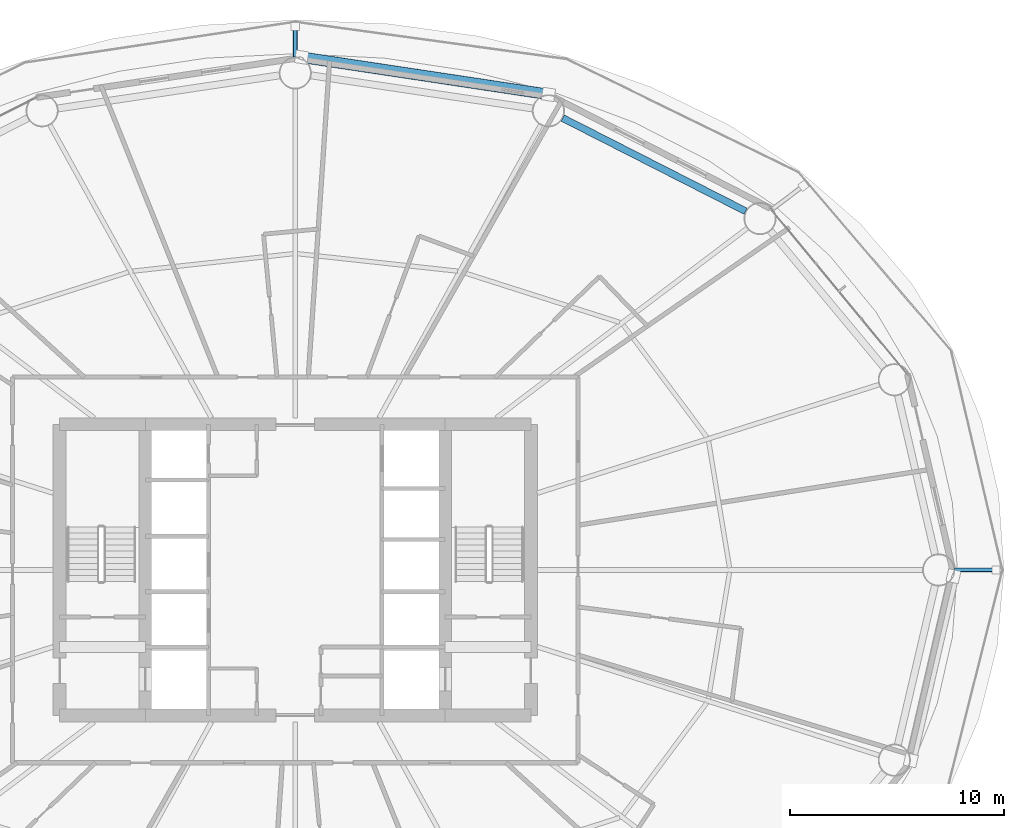
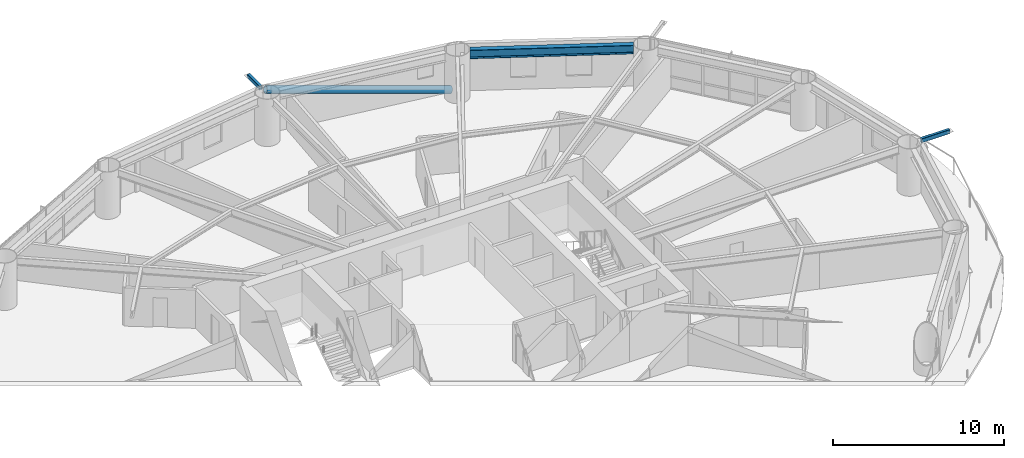
# One storey, part 15 of 28: 3 members, 1 beam.
"""IFC4 building model written with IfcOpenShell, lengths in metres."""

from ifc_helpers import new_model, si_unit, direction, frame, origin, origin_2d, place, context, subcontext, project, spatial, hollow_rectangle, hollow_circle, i_section, extrude, material, material_profile, profile_set, type_object, element, save


model = new_model("IFC4")

# Units and contexts
model_context = context("Model", 3, precision=1e-05, world=origin(), true_north=direction((0.0, 1.0)))
body_context = subcontext(model_context, "Body", "Model", "MODEL_VIEW")
ifc_project = project(units=[si_unit("LENGTHUNIT", "METRE"), si_unit("AREAUNIT", "SQUARE_METRE"), si_unit("VOLUMEUNIT", "CUBIC_METRE"), si_unit("PLANEANGLEUNIT", "RADIAN"), si_unit("MASSUNIT", "GRAM", prefix="KILO")], contexts=[model_context])

# Site, building, storey
site_placement = place(None, origin())
site = spatial("IfcSite", under=ifc_project, at=site_placement, CompositionType="ELEMENT")
building_placement = place(site_placement, origin())
building = spatial("IfcBuilding", under=site, at=building_placement, Name="Sarneth Arch Tower", CompositionType="ELEMENT")
storey_placement = place(building_placement, frame((0.0, 0.0, 67.800048828125)))
storey = spatial("IfcBuildingStorey", under=building, at=storey_placement, Name="L16", CompositionType="ELEMENT", Elevation=67.800048828125)

# Beam
ifc_material_1 = material(Name="Steel S355", Category="steel")
ifc_material_profile_1 = material_profile(ifc_material_1, i_section(OverallWidth=0.326904296875, OverallDepth=0.6220703125, WebThickness=0.015380859375, FlangeThickness=0.0244140625, FilletRadius=0.01904296875, at=origin_2d()), Name="W610x195")
ifc_profile_set_1 = profile_set([ifc_material_profile_1], Name="Steel S355")
beam_type = type_object("IfcBeamType", Name="BM-SPAN-610A", PredefinedType="SPANDREL", material=ifc_profile_set_1)
beam_placement = place(storey_placement, frame((69.0283203125, 58.7451171875, 3.06884765625), z_axis=(-0.891169106887, 0.453671271882, 0.0), x_axis=(-0.453671271882, -0.891169106887, 0.0)))
element("IfcBeam", 1, at=beam_placement, inside=storey, type_object=beam_type, Name="L16 Perimeter spandrel beam 03", PredefinedType="SPANDREL", context=body_context, shape_type="SweptSolid", body=[
    extrude(i_section(OverallWidth=0.326904296875, OverallDepth=0.6220703125, WebThickness=0.015380859375, FlangeThickness=0.0244140625, FilletRadius=0.01904296875, at=origin_2d()), origin(), (0.0, 0.0, 1.0), 9.58544921875),
])

# Members
ifc_material_2 = material(Name="Steel S355", Category="steel")
ifc_material_profile_2 = material_profile(ifc_material_2, hollow_rectangle(XDim=0.199951171875, YDim=0.300048828125, WallThickness=0.012451171875, InnerFilletRadius=0.018798828125, OuterFilletRadius=0.03125, at=origin_2d()), Name="RHS300x200x12.5")
ifc_profile_set_2 = profile_set([ifc_material_profile_2], Name="Steel S355")
member_type_1 = type_object("IfcMemberType", Name="MEM-CANT-STRUT", PredefinedType="STRUT", material=ifc_profile_set_2)
member_1_placement = place(storey_placement, frame((78.784912109375, 42.0, 3.219970703125), z_axis=(1.0, 0.0, 0.0), x_axis=(0.0, 1.0, 0.0)))
element("IfcMember", 2, at=member_1_placement, inside=storey, type_object=member_type_1, Name="L16 Balcony cantilever bracket 01", PredefinedType="STRUT", context=body_context, shape_type="SweptSolid", body=[
    extrude(hollow_rectangle(XDim=0.199951171875, YDim=0.300048828125, WallThickness=0.012451171875, InnerFilletRadius=0.018798828125, OuterFilletRadius=0.03125, at=origin_2d()), origin(), (0.0, 0.0, 1.0), 1.926025390625),
])
member_2_placement = place(storey_placement, frame((48.0, 65.949951171875, 3.219970703125), z_axis=(0.0, 1.0, 0.0), x_axis=(-1.0, 0.0, 0.0)))
element("IfcMember", 3, at=member_2_placement, inside=storey, type_object=member_type_1, Name="L16 Balcony cantilever bracket 05", PredefinedType="STRUT", context=body_context, shape_type="SweptSolid", body=[
    extrude(hollow_rectangle(XDim=0.199951171875, YDim=0.300048828125, WallThickness=0.012451171875, InnerFilletRadius=0.018798828125, OuterFilletRadius=0.03125, at=origin_2d()), origin(), (0.0, 0.0, 1.0), 1.423828125),
])
ifc_material_3 = material(Name="Steel S355", Category="steel")
ifc_material_profile_3 = material_profile(ifc_material_3, hollow_circle(Radius=0.25390625, WallThickness=0.01611328125, at=origin_2d()), Name="CHS508x16")
ifc_profile_set_3 = profile_set([ifc_material_profile_3], Name="Steel S355")
member_type_2 = type_object("IfcMemberType", Name="MEM-DIAG-BR1", PredefinedType="BRACE", material=ifc_profile_set_3)
member_3_placement = place(storey_placement, frame((59.819580078125, 64.19921875, 0.02001953125), z_axis=(-0.957875899759, 0.144316613483, 0.248287083301), x_axis=(-0.1489817545, -0.988839944999, 0.0)))
element("IfcMember", 4, at=member_3_placement, inside=storey, type_object=member_type_2, Name="L16 Perimeter frame diagonal 04", PredefinedType="BRACE", context=body_context, shape_type="SweptSolid", body=[
    extrude(hollow_circle(Radius=0.25390625, WallThickness=0.01611328125, at=origin_2d()), origin(), (0.0, 0.0, 1.0), 12.02978515625),
])

save(model, "model.ifc")
